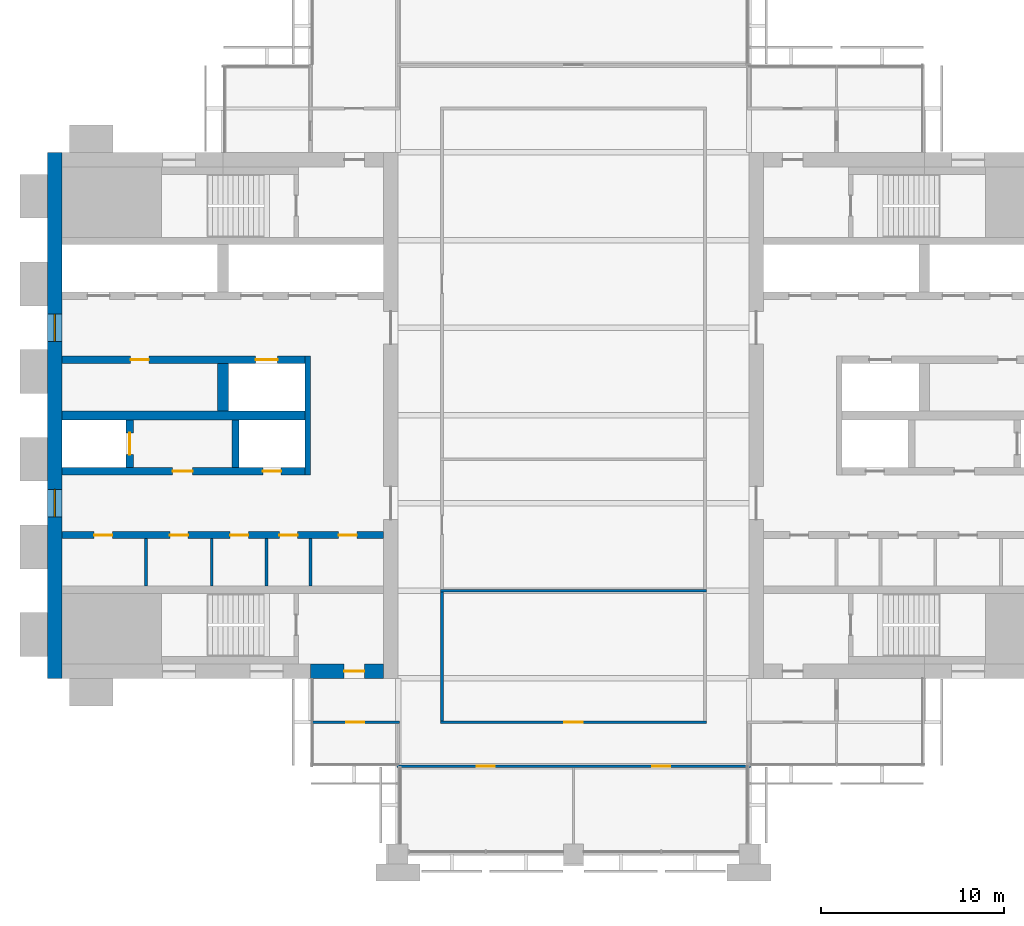
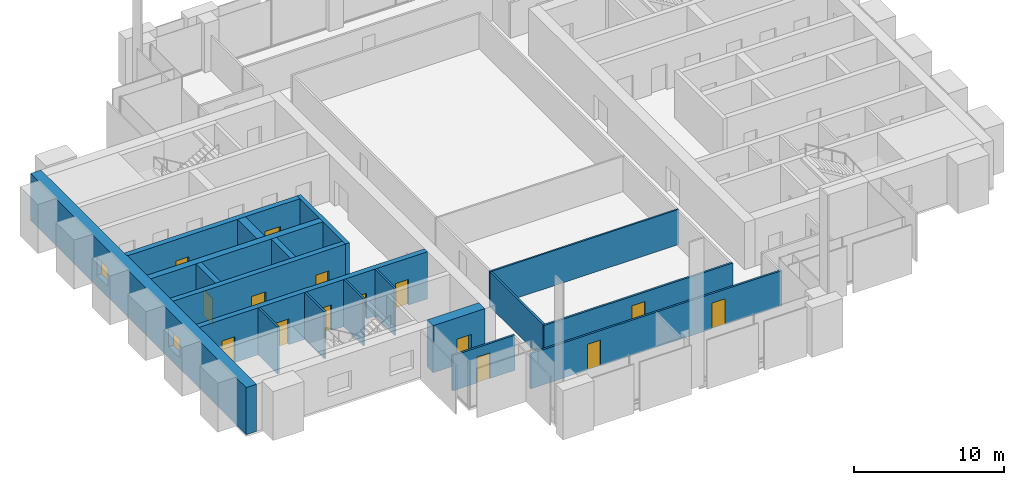
# One storey, part 8 of 13: 19 walls, 15 doors, 2 windows, 17 openings.
"""IFC4 building model written with IfcOpenShell, lengths in metres."""

from ifc_helpers import new_model, si_unit, direction, frame, frame_2d, origin, place, context, subcontext, project, spatial, rectangle, extrude, material, layer, layer_set, type_object, element, fill, save


model = new_model("IFC4")

# Units and contexts
model_context = context("Model", 3, precision=1e-05, world=origin(), true_north=direction((0.0, 1.0)))
body_context = subcontext(model_context, "Body", "Model", "MODEL_VIEW")
ifc_project = project(units=[si_unit("LENGTHUNIT", "METRE"), si_unit("AREAUNIT", "SQUARE_METRE"), si_unit("VOLUMEUNIT", "CUBIC_METRE"), si_unit("PLANEANGLEUNIT", "RADIAN"), si_unit("MASSUNIT", "GRAM", prefix="KILO")], contexts=[model_context])

# Site, building, storey
site_placement = place(None, origin())
site = spatial("IfcSite", under=ifc_project, at=site_placement, CompositionType="ELEMENT")
building_placement = place(site_placement, origin())
building = spatial("IfcBuilding", under=site, at=building_placement, Name="Baori Bourse Tower", CompositionType="ELEMENT")
storey_placement = place(building_placement, frame((0.0, 0.0, 213.199951171875)))
storey = spatial("IfcBuildingStorey", under=building, at=storey_placement, Name="L46", CompositionType="ELEMENT", Elevation=213.199951171875)

# Walls
ifc_material_1 = material(Name="Blockwork partition", Category="masonry")
ifc_layer_1 = layer(ifc_material_1, 0.14990234375)
ifc_layer_set_1 = layer_set([ifc_layer_1], Name="Core partition 150")
wall_type_1 = type_object("IfcWallType", Name="Core partition 150", PredefinedType="PARTITIONING", material=ifc_layer_set_1)
for number, where, z_axis, x_axis, name in (
    (1, (5.39990234375, 14.64990234375, 0.0), (0.0, 0.0, 1.0), (0.0, 1.0, 0.0), "Partition wall W09"),
    (2, (9.0, 14.64990234375, 0.0), (0.0, 0.0, 1.0), (0.0, 1.0, 0.0), "Partition wall W10"),
    (3, (12.0, 14.64990234375, 0.0), (0.0, 0.0, 1.0), (0.0, 1.0, 0.0), "Partition wall W11"),
    (4, (14.39990234375, 14.64990234375, 0.0), (0.0, 0.0, 1.0), (0.0, 1.0, 0.0), "Partition wall W12"),
):
    element("IfcWall", number, at=place(storey_placement, frame(where, z_axis=z_axis, x_axis=x_axis)), inside=storey, type_object=wall_type_1, Name=name, PredefinedType="PARTITIONING", context=body_context, shape_type="SweptSolid", body=[
        extrude(rectangle(XDim=2.60009765625, YDim=0.14990234375, at=frame_2d((1.300048828125, 0.0))), origin(), (0.0, 0.0, 1.0), 3.840087890625),
    ])

# Wall, openings, windows
ifc_material_2 = material(Name="Concrete f'c 50 MPa", Category="concrete")
ifc_layer_2 = layer(ifc_material_2, 0.800048828125)
ifc_layer_set_2 = layer_set([ifc_layer_2], Name="Core wall 800 f'c 50")
wall_type_2 = type_object("IfcWallType", Name="Core wall 800 f'c 50", PredefinedType="SHEAR", material=ifc_layer_set_2)
wall_1_placement = place(storey_placement, frame((0.39990234375, 9.60009765625, 0.0), z_axis=(0.0, 0.0, 1.0), x_axis=(0.0, 1.0, 0.0)))
wall_1 = element("IfcWall", 5, at=wall_1_placement, inside=storey, type_object=wall_type_2, Name="Core wall W01", PredefinedType="SHEAR", context=body_context, shape_type="SweptSolid", body=[
    extrude(rectangle(XDim=28.7998046875, YDim=0.800048828125, at=frame_2d((14.39990234375, 0.0))), origin(), (0.0, 0.0, 1.0), 3.840087890625),
])
opening_1_placement = place(wall_1_placement, frame((8.85009765625, 0.0, 0.89990234375)))
opening_1 = element("IfcOpeningElement", 6, at=opening_1_placement, cuts=wall_1, Name="Opening L46-KW101", PredefinedType="OPENING", context=body_context, shape_type="SweptSolid", body=[
    extrude(rectangle(XDim=1.5, YDim=1.5, at=frame_2d((0.75, 0.75))), frame((0.0, 0.409912109375, 0.0), z_axis=(0.0, -1.0, 0.0), x_axis=(1.0, 0.0, 0.0)), (0.0, 0.0, 1.0), 0.820068359375),
])
opening_2_placement = place(wall_1_placement, frame((18.449951171875, 0.0, 0.89990234375)))
opening_2 = element("IfcOpeningElement", 7, at=opening_2_placement, cuts=wall_1, Name="Opening L46-KW102", PredefinedType="OPENING", context=body_context, shape_type="SweptSolid", body=[
    extrude(rectangle(XDim=1.5, YDim=1.5, at=frame_2d((0.75, 0.75))), frame((0.0, 0.409912109375, 0.0), z_axis=(0.0, -1.0, 0.0), x_axis=(1.0, 0.0, 0.0)), (0.0, 0.0, 1.0), 0.820068359375),
])
ifc_material_3 = material(Name="Pale anodised aluminium", Category="aluminium")
window_type = type_object("IfcWindowType", Name="Lobby window 1500 x 1500", PartitioningType="SINGLE_PANEL", PredefinedType="WINDOW", material=ifc_material_3)
window_1_placement = place(opening_1_placement, origin())
window_1 = element("IfcWindow", 8, at=window_1_placement, inside=storey, type_object=window_type, Name="Outer wall window W L46 1", OverallHeight=1.5, OverallWidth=1.5, PartitioningType="SINGLE_PANEL", PredefinedType="WINDOW", context=body_context, shape_type="SweptSolid", body=[
    extrude(rectangle(XDim=1.5, YDim=1.5, at=frame_2d((0.75, 0.75))), frame((0.0, 0.030029296875, 0.0), z_axis=(0.0, -1.0, 0.0), x_axis=(1.0, 0.0, 0.0)), (0.0, 0.0, 1.0), 0.06005859375),
])
fill(opening_1, window_1)
window_2_placement = place(opening_2_placement, origin())
window_2 = element("IfcWindow", 9, at=window_2_placement, inside=storey, type_object=window_type, Name="Outer wall window W L46 2", OverallHeight=1.5, OverallWidth=1.5, PartitioningType="SINGLE_PANEL", PredefinedType="WINDOW", context=body_context, shape_type="SweptSolid", body=[
    extrude(rectangle(XDim=1.5, YDim=1.5, at=frame_2d((0.75, 0.75))), frame((0.0, 0.030029296875, 0.0), z_axis=(0.0, -1.0, 0.0), x_axis=(1.0, 0.0, 0.0)), (0.0, 0.0, 1.0), 0.06005859375),
])
fill(opening_2, window_2)

# Wall, opening, door
wall_2_placement = place(storey_placement, frame((18.39990234375, 10.0, 0.0), z_axis=(0.0, 0.0, 1.0), x_axis=(-1.0, 0.0, 0.0)))
wall_2 = element("IfcWall", 10, at=wall_2_placement, inside=storey, type_object=wall_type_2, Name="Core wall W03", PredefinedType="SHEAR", context=body_context, shape_type="SweptSolid", body=[
    extrude(rectangle(XDim=4.0, YDim=0.800048828125, at=frame_2d((2.0, 0.0))), origin(), (0.0, 0.0, 1.0), 3.840087890625),
])
opening_3_placement = place(wall_2_placement, frame((1.050048828125, 0.0, 0.0)))
opening_3 = element("IfcOpeningElement", 11, at=opening_3_placement, cuts=wall_2, Name="Opening L46-D102", PredefinedType="OPENING", context=body_context, shape_type="SweptSolid", body=[
    extrude(rectangle(XDim=1.10009765625, YDim=2.10009765625, at=frame_2d((0.550048828125, 1.050048828125))), frame((0.0, 0.409912109375, 0.0), z_axis=(0.0, -1.0, 0.0), x_axis=(1.0, 0.0, 0.0)), (0.0, 0.0, 1.0), 0.820068359375),
])
ifc_material_4 = material(Name="Painted steel door", Category="steel")
door_type_1 = type_object("IfcDoorType", Name="Stair door 1100", OperationType="SINGLE_SWING_LEFT", PredefinedType="DOOR", material=ifc_material_4)
door_1_placement = place(opening_3_placement, origin())
door_1 = element("IfcDoor", 12, at=door_1_placement, inside=storey, type_object=door_type_1, Name="Stair vestibule door A W L46", OperationType="SINGLE_SWING_LEFT", OverallHeight=2.10009765625, OverallWidth=1.10009765625, PredefinedType="DOOR", context=body_context, shape_type="SweptSolid", body=[
    extrude(rectangle(XDim=1.10009765625, YDim=2.10009765625, at=frame_2d((0.550048828125, 1.050048828125))), frame((0.0, 0.02490234375, 0.0), z_axis=(0.0, -1.0, 0.0), x_axis=(1.0, 0.0, 0.0)), (0.0, 0.0, 1.0), 0.050048828125),
])
fill(opening_3, door_1)

# Wall, openings, doors
ifc_material_5 = material(Name="Gypsum board partition")
ifc_layer_3 = layer(ifc_material_5, 0.14990234375)
ifc_layer_set_3 = layer_set([ifc_layer_3], Name="Corridor partition 150")
wall_type_3 = type_object("IfcWallType", Name="Corridor partition 150", PredefinedType="PARTITIONING", material=ifc_layer_set_3)
wall_3_placement = place(storey_placement, frame((19.125, 4.800048828125, 0.0), z_axis=(0.0, 0.0, 1.0), x_axis=(1.0, 0.0, 0.0)))
wall_3 = element("IfcWall", 13, at=wall_3_placement, inside=storey, type_object=wall_type_3, Name="Partition", PredefinedType="PARTITIONING", context=body_context, shape_type="SweptSolid", body=[
    extrude(rectangle(XDim=19.35009765625, YDim=0.14990234375, at=frame_2d((9.675048828125, 0.0))), origin(), (0.0, 0.0, 1.0), 2.869873046875),
])
opening_4_placement = place(wall_3_placement, frame((4.375, 0.0, 0.0)))
opening_4 = element("IfcOpeningElement", 14, at=opening_4_placement, cuts=wall_3, Name="Opening L46-D01", PredefinedType="OPENING", context=body_context, shape_type="SweptSolid", body=[
    extrude(rectangle(XDim=1.0, YDim=2.10009765625, at=frame_2d((0.5, 1.050048828125))), frame((0.0, 0.0849609375, 0.0), z_axis=(0.0, -1.0, 0.0), x_axis=(1.0, 0.0, 0.0)), (0.0, 0.0, 1.0), 0.169921875),
])
opening_5_placement = place(wall_3_placement, frame((13.97509765625, 0.0, 0.0)))
opening_5 = element("IfcOpeningElement", 15, at=opening_5_placement, cuts=wall_3, Name="Opening L46-D02", PredefinedType="OPENING", context=body_context, shape_type="SweptSolid", body=[
    extrude(rectangle(XDim=1.0, YDim=2.10009765625, at=frame_2d((0.5, 1.050048828125))), frame((0.0, 0.0849609375, 0.0), z_axis=(0.0, -1.0, 0.0), x_axis=(1.0, 0.0, 0.0)), (0.0, 0.0, 1.0), 0.169921875),
])
ifc_material_6 = material(Name="Timber door leaf", Category="wood")
door_type_2 = type_object("IfcDoorType", Name="Door 1000 x 2100", OperationType="SINGLE_SWING_LEFT", PredefinedType="DOOR", material=ifc_material_6)
door_2_placement = place(opening_4_placement, origin())
door_2 = element("IfcDoor", 16, at=door_2_placement, inside=storey, type_object=door_type_2, Name="Door", OperationType="SINGLE_SWING_LEFT", OverallHeight=2.10009765625, OverallWidth=1.0, PredefinedType="DOOR", context=body_context, shape_type="SweptSolid", body=[
    extrude(rectangle(XDim=1.0, YDim=2.10009765625, at=frame_2d((0.5, 1.050048828125))), frame((0.0, 0.02490234375, 0.0), z_axis=(0.0, -1.0, 0.0), x_axis=(1.0, 0.0, 0.0)), (0.0, 0.0, 1.0), 0.050048828125),
])
fill(opening_4, door_2)
door_3_placement = place(opening_5_placement, origin())
door_3 = element("IfcDoor", 17, at=door_3_placement, inside=storey, type_object=door_type_2, Name="Door", OperationType="SINGLE_SWING_RIGHT", OverallHeight=2.10009765625, OverallWidth=1.0, PredefinedType="DOOR", context=body_context, shape_type="SweptSolid", body=[
    extrude(rectangle(XDim=1.0, YDim=2.10009765625, at=frame_2d((0.5, 1.050048828125))), frame((0.0, 0.02490234375, 0.0), z_axis=(0.0, -1.0, 0.0), x_axis=(1.0, 0.0, 0.0)), (0.0, 0.0, 1.0), 0.050048828125),
])
fill(opening_5, door_3)

# Wall, opening, door
wall_4_placement = place(storey_placement, frame((14.5, 7.199951171875, 0.0), z_axis=(0.0, 0.0, 1.0), x_axis=(1.0, 0.0, 0.0)))
wall_4 = element("IfcWall", 18, at=wall_4_placement, inside=storey, type_object=wall_type_3, Name="Partition", PredefinedType="PARTITIONING", context=body_context, shape_type="SweptSolid", body=[
    extrude(rectangle(XDim=4.77490234375, YDim=0.14990234375, at=frame_2d((2.387451171875, 0.0))), origin(), (0.0, 0.0, 1.0), 2.869873046875),
])
opening_6_placement = place(wall_4_placement, frame((1.85009765625, 0.0, 0.0)))
opening_6 = element("IfcOpeningElement", 19, at=opening_6_placement, cuts=wall_4, Name="Opening L46-D03", PredefinedType="OPENING", context=body_context, shape_type="SweptSolid", body=[
    extrude(rectangle(XDim=1.0, YDim=2.10009765625, at=frame_2d((0.5, 1.050048828125))), frame((0.0, 0.0849609375, 0.0), z_axis=(0.0, -1.0, 0.0), x_axis=(1.0, 0.0, 0.0)), (0.0, 0.0, 1.0), 0.169921875),
])
door_4_placement = place(opening_6_placement, origin())
door_4 = element("IfcDoor", 20, at=door_4_placement, inside=storey, type_object=door_type_2, Name="Door", OperationType="SINGLE_SWING_LEFT", OverallHeight=2.10009765625, OverallWidth=1.0, PredefinedType="DOOR", context=body_context, shape_type="SweptSolid", body=[
    extrude(rectangle(XDim=1.0, YDim=2.10009765625, at=frame_2d((0.5, 1.050048828125))), frame((0.0, 0.02490234375, 0.0), z_axis=(0.0, -1.0, 0.0), x_axis=(1.0, 0.0, 0.0)), (0.0, 0.0, 1.0), 0.050048828125),
])
fill(opening_6, door_4)

wall_5_placement = place(storey_placement, frame((21.52490234375, 7.199951171875, 0.0), z_axis=(0.0, 0.0, 1.0), x_axis=(1.0, 0.0, 0.0)))
wall_5 = element("IfcWall", 21, at=wall_5_placement, inside=storey, type_object=wall_type_3, Name="Partition", PredefinedType="PARTITIONING", context=body_context, shape_type="SweptSolid", body=[
    extrude(rectangle(XDim=14.550048828125, YDim=0.14990234375, at=frame_2d((7.27490234375, 0.0))), origin(), (0.0, 0.0, 1.0), 2.869873046875),
])
opening_7_placement = place(wall_5_placement, frame((6.77490234375, 0.0, 0.0)))
opening_7 = element("IfcOpeningElement", 22, at=opening_7_placement, cuts=wall_5, Name="Opening L46-D04", PredefinedType="OPENING", context=body_context, shape_type="SweptSolid", body=[
    extrude(rectangle(XDim=1.0, YDim=2.10009765625, at=frame_2d((0.5, 1.050048828125))), frame((0.0, 0.0849609375, 0.0), z_axis=(0.0, -1.0, 0.0), x_axis=(1.0, 0.0, 0.0)), (0.0, 0.0, 1.0), 0.169921875),
])
door_5_placement = place(opening_7_placement, origin())
door_5 = element("IfcDoor", 23, at=door_5_placement, inside=storey, type_object=door_type_2, Name="Door", OperationType="SINGLE_SWING_RIGHT", OverallHeight=2.10009765625, OverallWidth=1.0, PredefinedType="DOOR", context=body_context, shape_type="SweptSolid", body=[
    extrude(rectangle(XDim=1.0, YDim=2.10009765625, at=frame_2d((0.5, 1.050048828125))), frame((0.0, 0.02490234375, 0.0), z_axis=(0.0, -1.0, 0.0), x_axis=(1.0, 0.0, 0.0)), (0.0, 0.0, 1.0), 0.050048828125),
])
fill(opening_7, door_5)

# Walls
wall_6_placement = place(storey_placement, frame((21.60009765625, 7.27490234375, 0.0), z_axis=(0.0, 0.0, 1.0), x_axis=(0.0, 1.0, 0.0)))
element("IfcWall", 24, at=wall_6_placement, inside=storey, type_object=wall_type_3, Name="Partition", PredefinedType="PARTITIONING", context=body_context, shape_type="SweptSolid", body=[
    extrude(rectangle(XDim=7.0625, YDim=0.14990234375, at=frame_2d((3.53125, 0.0))), origin(), (0.0, 0.0, 1.0), 2.869873046875),
])
ifc_material_7 = material(Name="Gypsum board partition")
ifc_layer_4 = layer(ifc_material_7, 0.125)
ifc_layer_set_4 = layer_set([ifc_layer_4], Name="Partition 125")
wall_type_4 = type_object("IfcWallType", Name="Partition 125", PredefinedType="PARTITIONING", material=ifc_layer_set_4)
wall_7_placement = place(storey_placement, frame((21.52490234375, 14.39990234375, 0.0), z_axis=(0.0, 0.0, 1.0), x_axis=(1.0, 0.0, 0.0)))
element("IfcWall", 25, at=wall_7_placement, inside=storey, type_object=wall_type_4, Name="Partition", PredefinedType="PARTITIONING", context=body_context, shape_type="SweptSolid", body=[
    extrude(rectangle(XDim=14.550048828125, YDim=0.125, at=frame_2d((7.27490234375, 0.0))), origin(), (0.0, 0.0, 1.0), 2.869873046875),
])
ifc_material_8 = material(Name="Concrete f'c 50 MPa", Category="concrete")
ifc_layer_5 = layer(ifc_material_8, 0.300048828125)
ifc_layer_set_5 = layer_set([ifc_layer_5], Name="Shaft wall 300 f'c 50")
wall_type_5 = type_object("IfcWallType", Name="Shaft wall 300 f'c 50", PredefinedType="SHEAR", material=ifc_layer_set_5)
wall_8_placement = place(storey_placement, frame((14.25, 20.75, 0.0), z_axis=(0.0, 0.0, 1.0), x_axis=(0.0, 1.0, 0.0)))
element("IfcWall", 26, at=wall_8_placement, inside=storey, type_object=wall_type_5, Name="Core wall W15", PredefinedType="SHEAR", context=body_context, shape_type="SweptSolid", body=[
    extrude(rectangle(XDim=6.5, YDim=0.300048828125, at=frame_2d((3.25, 0.0))), origin(), (0.0, 0.0, 1.0), 3.840087890625),
])

# Wall, openings, doors
ifc_material_9 = material(Name="Concrete f'c 50 MPa", Category="concrete")
ifc_layer_6 = layer(ifc_material_9, 0.39990234375)
ifc_layer_set_6 = layer_set([ifc_layer_6], Name="Shaft wall 400 f'c 50")
wall_type_6 = type_object("IfcWallType", Name="Shaft wall 400 f'c 50", PredefinedType="SHEAR", material=ifc_layer_set_6)
wall_9_placement = place(storey_placement, frame((0.800048828125, 17.449951171875, 0.0), z_axis=(0.0, 0.0, 1.0), x_axis=(1.0, 0.0, 0.0)))
wall_9 = element("IfcWall", 27, at=wall_9_placement, inside=storey, type_object=wall_type_6, Name="Core wall W13", PredefinedType="SHEAR", context=body_context, shape_type="SweptSolid", body=[
    extrude(rectangle(XDim=17.599853515625, YDim=0.39990234375, at=frame_2d((8.7998046875, 0.0))), origin(), (0.0, 0.0, 1.0), 3.840087890625),
])
opening_8_placement = place(wall_9_placement, frame((1.762451171875, 0.0, 0.0)))
opening_8 = element("IfcOpeningElement", 28, at=opening_8_placement, cuts=wall_9, Name="Opening L46-D109", PredefinedType="OPENING", context=body_context, shape_type="SweptSolid", body=[
    extrude(rectangle(XDim=1.0, YDim=2.10009765625, at=frame_2d((0.5, 1.050048828125))), frame((0.0, 0.2099609375, 0.0), z_axis=(0.0, -1.0, 0.0), x_axis=(1.0, 0.0, 0.0)), (0.0, 0.0, 1.0), 0.419921875),
])
opening_9_placement = place(wall_9_placement, frame((5.89990234375, 0.0, 0.0)))
opening_9 = element("IfcOpeningElement", 29, at=opening_9_placement, cuts=wall_9, Name="Opening L46-D110", PredefinedType="OPENING", context=body_context, shape_type="SweptSolid", body=[
    extrude(rectangle(XDim=1.0, YDim=2.10009765625, at=frame_2d((0.5, 1.050048828125))), frame((0.0, 0.2099609375, 0.0), z_axis=(0.0, -1.0, 0.0), x_axis=(1.0, 0.0, 0.0)), (0.0, 0.0, 1.0), 0.419921875),
])
opening_10_placement = place(wall_9_placement, frame((9.199951171875, 0.0, 0.0)))
opening_10 = element("IfcOpeningElement", 30, at=opening_10_placement, cuts=wall_9, Name="Opening L46-D111", PredefinedType="OPENING", context=body_context, shape_type="SweptSolid", body=[
    extrude(rectangle(XDim=1.0, YDim=2.10009765625, at=frame_2d((0.5, 1.050048828125))), frame((0.0, 0.2099609375, 0.0), z_axis=(0.0, -1.0, 0.0), x_axis=(1.0, 0.0, 0.0)), (0.0, 0.0, 1.0), 0.419921875),
])
opening_11_placement = place(wall_9_placement, frame((11.89990234375, 0.0, 0.0)))
opening_11 = element("IfcOpeningElement", 31, at=opening_11_placement, cuts=wall_9, Name="Opening L46-D112", PredefinedType="OPENING", context=body_context, shape_type="SweptSolid", body=[
    extrude(rectangle(XDim=1.0, YDim=2.10009765625, at=frame_2d((0.5, 1.050048828125))), frame((0.0, 0.2099609375, 0.0), z_axis=(0.0, -1.0, 0.0), x_axis=(1.0, 0.0, 0.0)), (0.0, 0.0, 1.0), 0.419921875),
])
opening_12_placement = place(wall_9_placement, frame((15.137451171875, 0.0, 0.0)))
opening_12 = element("IfcOpeningElement", 32, at=opening_12_placement, cuts=wall_9, Name="Opening L46-D113", PredefinedType="OPENING", context=body_context, shape_type="SweptSolid", body=[
    extrude(rectangle(XDim=1.0, YDim=2.10009765625, at=frame_2d((0.5, 1.050048828125))), frame((0.0, 0.2099609375, 0.0), z_axis=(0.0, -1.0, 0.0), x_axis=(1.0, 0.0, 0.0)), (0.0, 0.0, 1.0), 0.419921875),
])
ifc_material_10 = material(Name="Painted steel door", Category="steel")
door_type_3 = type_object("IfcDoorType", Name="Core door 1000", OperationType="SINGLE_SWING_LEFT", PredefinedType="DOOR", material=ifc_material_10)
door_6_placement = place(opening_8_placement, origin())
door_6 = element("IfcDoor", 33, at=door_6_placement, inside=storey, type_object=door_type_3, Name="Men'S Wc door W L46", OperationType="SINGLE_SWING_LEFT", OverallHeight=2.10009765625, OverallWidth=1.0, PredefinedType="DOOR", context=body_context, shape_type="SweptSolid", body=[
    extrude(rectangle(XDim=1.0, YDim=2.10009765625, at=frame_2d((0.5, 1.050048828125))), frame((0.0, 0.02490234375, 0.0), z_axis=(0.0, -1.0, 0.0), x_axis=(1.0, 0.0, 0.0)), (0.0, 0.0, 1.0), 0.050048828125),
])
fill(opening_8, door_6)
door_7_placement = place(opening_9_placement, origin())
door_7 = element("IfcDoor", 34, at=door_7_placement, inside=storey, type_object=door_type_3, Name="Women'S Wc door W L46", OperationType="SINGLE_SWING_LEFT", OverallHeight=2.10009765625, OverallWidth=1.0, PredefinedType="DOOR", context=body_context, shape_type="SweptSolid", body=[
    extrude(rectangle(XDim=1.0, YDim=2.10009765625, at=frame_2d((0.5, 1.050048828125))), frame((0.0, 0.02490234375, 0.0), z_axis=(0.0, -1.0, 0.0), x_axis=(1.0, 0.0, 0.0)), (0.0, 0.0, 1.0), 0.050048828125),
])
fill(opening_9, door_7)
door_8_placement = place(opening_10_placement, origin())
door_8 = element("IfcDoor", 35, at=door_8_placement, inside=storey, type_object=door_type_3, Name="Pantry door W L46", OperationType="SINGLE_SWING_LEFT", OverallHeight=2.10009765625, OverallWidth=1.0, PredefinedType="DOOR", context=body_context, shape_type="SweptSolid", body=[
    extrude(rectangle(XDim=1.0, YDim=2.10009765625, at=frame_2d((0.5, 1.050048828125))), frame((0.0, 0.02490234375, 0.0), z_axis=(0.0, -1.0, 0.0), x_axis=(1.0, 0.0, 0.0)), (0.0, 0.0, 1.0), 0.050048828125),
])
fill(opening_10, door_8)
door_9_placement = place(opening_11_placement, origin())
door_9 = element("IfcDoor", 36, at=door_9_placement, inside=storey, type_object=door_type_3, Name="Store Room door W L46", OperationType="SINGLE_SWING_LEFT", OverallHeight=2.10009765625, OverallWidth=1.0, PredefinedType="DOOR", context=body_context, shape_type="SweptSolid", body=[
    extrude(rectangle(XDim=1.0, YDim=2.10009765625, at=frame_2d((0.5, 1.050048828125))), frame((0.0, 0.02490234375, 0.0), z_axis=(0.0, -1.0, 0.0), x_axis=(1.0, 0.0, 0.0)), (0.0, 0.0, 1.0), 0.050048828125),
])
fill(opening_11, door_9)
door_10_placement = place(opening_12_placement, origin())
door_10 = element("IfcDoor", 37, at=door_10_placement, inside=storey, type_object=door_type_3, Name="Accessible Wc door W L46", OperationType="SINGLE_SWING_LEFT", OverallHeight=2.10009765625, OverallWidth=1.0, PredefinedType="DOOR", context=body_context, shape_type="SweptSolid", body=[
    extrude(rectangle(XDim=1.0, YDim=2.10009765625, at=frame_2d((0.5, 1.050048828125))), frame((0.0, 0.02490234375, 0.0), z_axis=(0.0, -1.0, 0.0), x_axis=(1.0, 0.0, 0.0)), (0.0, 0.0, 1.0), 0.050048828125),
])
fill(opening_12, door_10)

wall_10_placement = place(storey_placement, frame((0.800048828125, 20.949951171875, 0.0), z_axis=(0.0, 0.0, 1.0), x_axis=(1.0, 0.0, 0.0)))
wall_10 = element("IfcWall", 38, at=wall_10_placement, inside=storey, type_object=wall_type_6, Name="Core wall W14", PredefinedType="SHEAR", context=body_context, shape_type="SweptSolid", body=[
    extrude(rectangle(XDim=13.300048828125, YDim=0.39990234375, at=frame_2d((6.64990234375, 0.0))), origin(), (0.0, 0.0, 1.0), 3.840087890625),
])
opening_13_placement = place(wall_10_placement, frame((6.050048828125, 0.0, 0.0)))
opening_13 = element("IfcOpeningElement", 39, at=opening_13_placement, cuts=wall_10, Name="Opening L46-D105", PredefinedType="OPENING", context=body_context, shape_type="SweptSolid", body=[
    extrude(rectangle(XDim=1.10009765625, YDim=2.10009765625, at=frame_2d((0.550048828125, 1.050048828125))), frame((0.0, 0.2099609375, 0.0), z_axis=(0.0, -1.0, 0.0), x_axis=(1.0, 0.0, 0.0)), (0.0, 0.0, 1.0), 0.419921875),
])
opening_14_placement = place(wall_10_placement, frame((11.0, 0.0, 0.0)))
opening_14 = element("IfcOpeningElement", 40, at=opening_14_placement, cuts=wall_10, Name="Opening L46-D106", PredefinedType="OPENING", context=body_context, shape_type="SweptSolid", body=[
    extrude(rectangle(XDim=1.0, YDim=2.10009765625, at=frame_2d((0.5, 1.050048828125))), frame((0.0, 0.2099609375, 0.0), z_axis=(0.0, -1.0, 0.0), x_axis=(1.0, 0.0, 0.0)), (0.0, 0.0, 1.0), 0.419921875),
])
ifc_material_11 = material(Name="Painted steel door", Category="steel")
door_type_4 = type_object("IfcDoorType", Name="Lobby door 1100", OperationType="SINGLE_SWING_LEFT", PredefinedType="DOOR", material=ifc_material_11)
door_11_placement = place(opening_13_placement, origin())
door_11 = element("IfcDoor", 41, at=door_11_placement, inside=storey, type_object=door_type_4, Name="Firefighting lobby door W L46", OperationType="SINGLE_SWING_LEFT", OverallHeight=2.10009765625, OverallWidth=1.10009765625, PredefinedType="DOOR", context=body_context, shape_type="SweptSolid", body=[
    extrude(rectangle(XDim=1.10009765625, YDim=2.10009765625, at=frame_2d((0.550048828125, 1.050048828125))), frame((0.0, 0.02490234375, 0.0), z_axis=(0.0, -1.0, 0.0), x_axis=(1.0, 0.0, 0.0)), (0.0, 0.0, 1.0), 0.050048828125),
])
fill(opening_13, door_11)
ifc_material_12 = material(Name="Painted steel door", Category="steel")
door_type_5 = type_object("IfcDoorType", Name="Shaft door 1000", OperationType="SINGLE_SWING_LEFT", PredefinedType="DOOR", material=ifc_material_12)
door_12_placement = place(opening_14_placement, origin())
door_12 = element("IfcDoor", 42, at=door_12_placement, inside=storey, type_object=door_type_5, Name="Riser room door W L46", OperationType="SINGLE_SWING_LEFT", OverallHeight=2.10009765625, OverallWidth=1.0, PredefinedType="DOOR", context=body_context, shape_type="SweptSolid", body=[
    extrude(rectangle(XDim=1.0, YDim=2.10009765625, at=frame_2d((0.5, 1.050048828125))), frame((0.0, 0.02490234375, 0.0), z_axis=(0.0, -1.0, 0.0), x_axis=(1.0, 0.0, 0.0)), (0.0, 0.0, 1.0), 0.050048828125),
])
fill(opening_14, door_12)

# Wall, opening, door
wall_11_placement = place(storey_placement, frame((4.5, 21.14990234375, 0.0), z_axis=(0.0, 0.0, 1.0), x_axis=(0.0, 1.0, 0.0)))
wall_11 = element("IfcWall", 43, at=wall_11_placement, inside=storey, type_object=wall_type_6, Name="Core wall W16", PredefinedType="SHEAR", context=body_context, shape_type="SweptSolid", body=[
    extrude(rectangle(XDim=2.60009765625, YDim=0.39990234375, at=frame_2d((1.300048828125, 0.0))), origin(), (0.0, 0.0, 1.0), 3.840087890625),
])
opening_15_placement = place(wall_11_placement, frame((0.699951171875, 0.0, 0.0)))
opening_15 = element("IfcOpeningElement", 44, at=opening_15_placement, cuts=wall_11, Name="Opening L46-D122", PredefinedType="OPENING", context=body_context, shape_type="SweptSolid", body=[
    extrude(rectangle(XDim=1.199951171875, YDim=2.10009765625, at=frame_2d((0.60009765625, 1.050048828125))), frame((0.0, 0.2099609375, 0.0), z_axis=(0.0, -1.0, 0.0), x_axis=(1.0, 0.0, 0.0)), (0.0, 0.0, 1.0), 0.419921875),
])
ifc_material_13 = material(Name="Stainless steel door", Category="steel")
door_type_6 = type_object("IfcDoorType", Name="Lift landing door", OperationType="DOUBLE_DOOR_SLIDING", PredefinedType="DOOR", material=ifc_material_13)
door_13_placement = place(opening_15_placement, origin())
door_13 = element("IfcDoor", 45, at=door_13_placement, inside=storey, type_object=door_type_6, Name="Lift landing door FF1 W L46", OperationType="DOUBLE_DOOR_SLIDING", OverallHeight=2.10009765625, OverallWidth=1.199951171875, PredefinedType="DOOR", context=body_context, shape_type="SweptSolid", body=[
    extrude(rectangle(XDim=1.199951171875, YDim=2.10009765625, at=frame_2d((0.60009765625, 1.050048828125))), frame((0.0, 0.02490234375, 0.0), z_axis=(0.0, -1.0, 0.0), x_axis=(1.0, 0.0, 0.0)), (0.0, 0.0, 1.0), 0.050048828125),
])
fill(opening_15, door_13)

# Wall
wall_12_placement = place(storey_placement, frame((10.300048828125, 21.14990234375, 0.0), z_axis=(0.0, 0.0, 1.0), x_axis=(0.0, 1.0, 0.0)))
element("IfcWall", 46, at=wall_12_placement, inside=storey, type_object=wall_type_6, Name="Core wall W17", PredefinedType="SHEAR", context=body_context, shape_type="SweptSolid", body=[
    extrude(rectangle(XDim=2.60009765625, YDim=0.39990234375, at=frame_2d((1.300048828125, 0.0))), origin(), (0.0, 0.0, 1.0), 3.840087890625),
])

# Wall, openings, doors
wall_13_placement = place(storey_placement, frame((0.800048828125, 27.050048828125, 0.0), z_axis=(0.0, 0.0, 1.0), x_axis=(1.0, 0.0, 0.0)))
wall_13 = element("IfcWall", 47, at=wall_13_placement, inside=storey, type_object=wall_type_6, Name="Core wall W20", PredefinedType="SHEAR", context=body_context, shape_type="SweptSolid", body=[
    extrude(rectangle(XDim=13.300048828125, YDim=0.39990234375, at=frame_2d((6.64990234375, 0.0))), origin(), (0.0, 0.0, 1.0), 3.840087890625),
])
opening_16_placement = place(wall_13_placement, frame((3.75, 0.0, 0.0)))
opening_16 = element("IfcOpeningElement", 48, at=opening_16_placement, cuts=wall_13, Name="Opening L46-D114", PredefinedType="OPENING", context=body_context, shape_type="SweptSolid", body=[
    extrude(rectangle(XDim=1.0, YDim=2.10009765625, at=frame_2d((0.5, 1.050048828125))), frame((0.0, 0.2099609375, 0.0), z_axis=(0.0, -1.0, 0.0), x_axis=(1.0, 0.0, 0.0)), (0.0, 0.0, 1.0), 0.419921875),
])
opening_17_placement = place(wall_13_placement, frame((10.60009765625, 0.0, 0.0)))
opening_17 = element("IfcOpeningElement", 49, at=opening_17_placement, cuts=wall_13, Name="Opening L46-D121", PredefinedType="OPENING", context=body_context, shape_type="SweptSolid", body=[
    extrude(rectangle(XDim=1.199951171875, YDim=2.10009765625, at=frame_2d((0.60009765625, 1.050048828125))), frame((0.0, 0.2099609375, 0.0), z_axis=(0.0, -1.0, 0.0), x_axis=(1.0, 0.0, 0.0)), (0.0, 0.0, 1.0), 0.419921875),
])
door_14_placement = place(opening_16_placement, origin())
door_14 = element("IfcDoor", 50, at=door_14_placement, inside=storey, type_object=door_type_3, Name="Copy Room door W L46", OperationType="SINGLE_SWING_LEFT", OverallHeight=2.10009765625, OverallWidth=1.0, PredefinedType="DOOR", context=body_context, shape_type="SweptSolid", body=[
    extrude(rectangle(XDim=1.0, YDim=2.10009765625, at=frame_2d((0.5, 1.050048828125))), frame((0.0, 0.02490234375, 0.0), z_axis=(0.0, -1.0, 0.0), x_axis=(1.0, 0.0, 0.0)), (0.0, 0.0, 1.0), 0.050048828125),
])
fill(opening_16, door_14)
door_15_placement = place(opening_17_placement, origin())
door_15 = element("IfcDoor", 51, at=door_15_placement, inside=storey, type_object=door_type_6, Name="Lift landing door SV1 W L46", OperationType="DOUBLE_DOOR_SLIDING", OverallHeight=2.10009765625, OverallWidth=1.199951171875, PredefinedType="DOOR", context=body_context, shape_type="SweptSolid", body=[
    extrude(rectangle(XDim=1.199951171875, YDim=2.10009765625, at=frame_2d((0.60009765625, 1.050048828125))), frame((0.0, 0.02490234375, 0.0), z_axis=(0.0, -1.0, 0.0), x_axis=(1.0, 0.0, 0.0)), (0.0, 0.0, 1.0), 0.050048828125),
])
fill(opening_17, door_15)

# Walls
ifc_material_14 = material(Name="Concrete f'c 50 MPa", Category="concrete")
ifc_layer_7 = layer(ifc_material_14, 0.5)
ifc_layer_set_7 = layer_set([ifc_layer_7], Name="Shaft wall 500 f'c 50")
wall_type_7 = type_object("IfcWallType", Name="Shaft wall 500 f'c 50", PredefinedType="SHEAR", material=ifc_layer_set_7)
wall_14_placement = place(storey_placement, frame((0.800048828125, 24.0, 0.0), z_axis=(0.0, 0.0, 1.0), x_axis=(1.0, 0.0, 0.0)))
element("IfcWall", 52, at=wall_14_placement, inside=storey, type_object=wall_type_7, Name="Core wall W18", PredefinedType="SHEAR", context=body_context, shape_type="SweptSolid", body=[
    extrude(rectangle(XDim=13.300048828125, YDim=0.5, at=frame_2d((6.64990234375, 0.0))), origin(), (0.0, 0.0, 1.0), 3.840087890625),
])
ifc_material_15 = material(Name="Concrete f'c 50 MPa", Category="concrete")
ifc_layer_8 = layer(ifc_material_15, 0.60009765625)
ifc_layer_set_8 = layer_set([ifc_layer_8], Name="Shaft wall 600 f'c 50")
wall_type_8 = type_object("IfcWallType", Name="Shaft wall 600 f'c 50", PredefinedType="SHEAR", material=ifc_layer_set_8)
wall_15_placement = place(storey_placement, frame((9.60009765625, 24.25, 0.0), z_axis=(0.0, 0.0, 1.0), x_axis=(0.0, 1.0, 0.0)))
element("IfcWall", 53, at=wall_15_placement, inside=storey, type_object=wall_type_8, Name="Core wall W19", PredefinedType="SHEAR", context=body_context, shape_type="SweptSolid", body=[
    extrude(rectangle(XDim=2.60009765625, YDim=0.60009765625, at=frame_2d((1.300048828125, 0.0))), origin(), (0.0, 0.0, 1.0), 3.840087890625),
])

save(model, "model.ifc")
